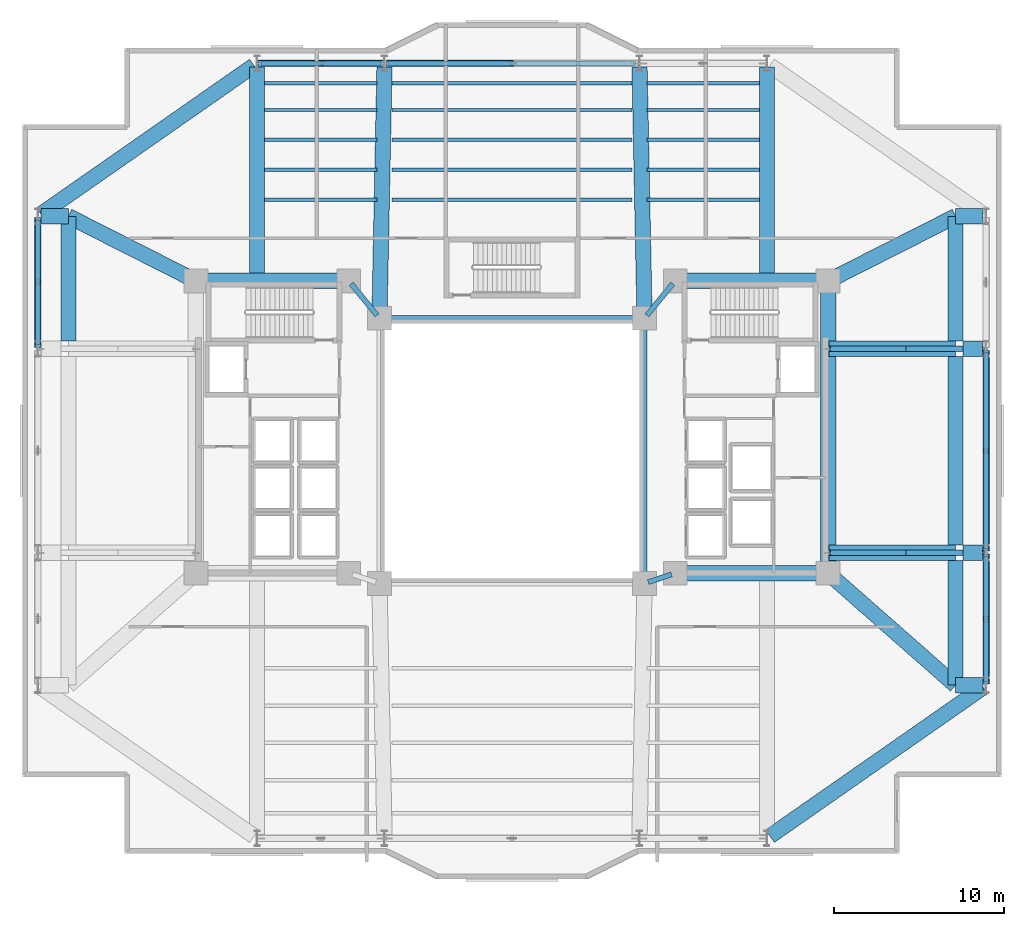
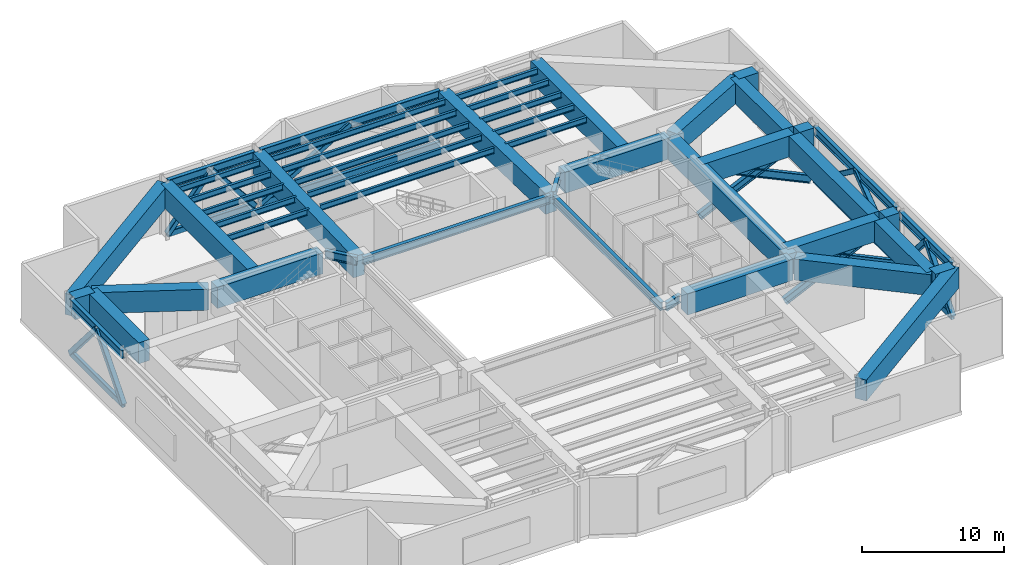
# One storey, part 2 of 12: 49 beams, 18 members.
"""IFC4 building model written with IfcOpenShell, lengths in metres."""

from ifc_helpers import new_model, si_unit, direction, frame, origin, origin_2d, place, context, subcontext, project, spatial, rectangle, hollow_rectangle, i_section, extrude, material, material_profile, profile_set, type_object, element, save


model = new_model("IFC4")

# Units and contexts
model_context = context("Model", 3, precision=1e-05, world=origin(), true_north=direction((0.0, 1.0)))
body_context = subcontext(model_context, "Body", "Model", "MODEL_VIEW")
ifc_project = project(units=[si_unit("LENGTHUNIT", "METRE"), si_unit("AREAUNIT", "SQUARE_METRE"), si_unit("VOLUMEUNIT", "CUBIC_METRE"), si_unit("PLANEANGLEUNIT", "RADIAN"), si_unit("MASSUNIT", "GRAM", prefix="KILO")], contexts=[model_context])

# Site, building, storey
site_placement = place(None, origin())
site = spatial("IfcSite", under=ifc_project, at=site_placement, CompositionType="ELEMENT")
building_placement = place(site_placement, origin())
building = spatial("IfcBuilding", under=site, at=building_placement, Name="Tarnavaz Court Tower", CompositionType="ELEMENT")
storey_placement = place(building_placement, frame((0.0, 0.0, 73.199951171875)))
storey = spatial("IfcBuildingStorey", under=building, at=storey_placement, Name="L19", CompositionType="ELEMENT", Elevation=73.199951171875)

# Beams
ifc_material_1 = material(Name="Steel S460", Category="steel")
ifc_material_profile_1 = material_profile(ifc_material_1, i_section(OverallWidth=0.303955078125, OverallDepth=0.716064453125, WebThickness=0.02099609375, FlangeThickness=0.0400390625, FilletRadius=0.027099609375, at=origin_2d()), Name="HEM 700")
ifc_profile_set_1 = profile_set([ifc_material_profile_1], Name="Steel S460")
beam_type_1 = type_object("IfcBeamType", Name="BM-BT-HEM700", PredefinedType="USERDEFINED", material=ifc_profile_set_1)
for number, where, z_axis, x_axis, name in (
    (1, (-7.580078125, 7.800048828125, 4.491943359375), (1.0, 0.0, 0.0), (0.0, 1.0, 0.0), "L19 Beam IN-IW-NW-IW-NE"),
    (2, (7.800048828125, -7.580078125, 4.491943359375), (0.0, 1.0, 0.0), (-1.0, 0.0, 0.0), "L19 Beam IN-IW-SE-IW-NE"),
):
    element("IfcBeam", number, at=place(storey_placement, frame(where, z_axis=z_axis, x_axis=x_axis)), inside=storey, type_object=beam_type_1, Name=name, ObjectType="GIRDER", PredefinedType="USERDEFINED", context=body_context, shape_type="SweptSolid", body=[
        extrude(i_section(OverallWidth=0.303955078125, OverallDepth=0.716064453125, WebThickness=0.02099609375, FlangeThickness=0.0400390625, FilletRadius=0.027099609375, at=origin_2d()), origin(), (0.0, 0.0, 1.0), 15.16015625),
    ])
beam_1_placement = place(storey_placement, frame((9.391357421875, -7.26953125, 4.491943359375), z_axis=(-0.948666544706, -0.316278021615, 0.0), x_axis=(0.316278021615, -0.948666544706, 0.0)))
element("IfcBeam", 3, at=beam_1_placement, inside=storey, type_object=beam_type_1, Name="L19 Beam IN-CE-SI-IW-SE", ObjectType="GIRDER", PredefinedType="USERDEFINED", context=body_context, shape_type="SweptSolid", body=[
    extrude(i_section(OverallWidth=0.303955078125, OverallDepth=0.716064453125, WebThickness=0.02099609375, FlangeThickness=0.0400390625, FilletRadius=0.027099609375, at=origin_2d()), origin(), (0.0, 0.0, 1.0), 1.457275390625),
])
for number, where, z_axis, x_axis, name in (
    (4, (-9.460693359375, 9.82958984375, 4.491943359375), (0.633282058357, -0.773921077735, 0.0), (0.773921077735, 0.633282058357, 0.0), "L19 Beam IN-CW-NI-IW-NW"),
    (5, (9.460693359375, 9.82958984375, 4.491943359375), (-0.633282058357, -0.773921077735, 0.0), (0.773921077735, -0.633282058357, 0.0), "L19 Beam IN-CE-NI-IW-NE"),
):
    element("IfcBeam", number, at=place(storey_placement, frame(where, z_axis=z_axis, x_axis=x_axis)), inside=storey, type_object=beam_type_1, Name=name, ObjectType="GIRDER", PredefinedType="USERDEFINED", context=body_context, shape_type="SweptSolid", body=[
        extrude(i_section(OverallWidth=0.303955078125, OverallDepth=0.716064453125, WebThickness=0.02099609375, FlangeThickness=0.0400390625, FilletRadius=0.027099609375, at=origin_2d()), origin(), (0.0, 0.0, 1.0), 2.402587890625),
    ])
beam_2_placement = place(storey_placement, frame((-14.780029296875, 22.800048828125, 4.491943359375), z_axis=(1.0, 0.0, 0.0), x_axis=(0.0, 1.0, 0.0)))
element("IfcBeam", 6, at=beam_2_placement, inside=storey, type_object=beam_type_1, Name="L19 Beam PR-PN-1-PN-2", ObjectType="GIRDER", PredefinedType="USERDEFINED", context=body_context, shape_type="SweptSolid", body=[
    extrude(i_section(OverallWidth=0.303955078125, OverallDepth=0.716064453125, WebThickness=0.02099609375, FlangeThickness=0.0400390625, FilletRadius=0.027099609375, at=origin_2d()), origin(), (0.0, 0.0, 1.0), 7.06005859375),
])
beam_3_placement = place(storey_placement, frame((-7.280029296875, 22.800048828125, 4.491943359375), z_axis=(1.0, 0.0, 0.0), x_axis=(0.0, 1.0, 0.0)))
element("IfcBeam", 7, at=beam_3_placement, inside=storey, type_object=beam_type_1, Name="L19 Beam PR-PN-2-PN-3", ObjectType="GIRDER", PredefinedType="USERDEFINED", context=body_context, shape_type="SweptSolid", body=[
    extrude(i_section(OverallWidth=0.303955078125, OverallDepth=0.716064453125, WebThickness=0.02099609375, FlangeThickness=0.0400390625, FilletRadius=0.027099609375, at=origin_2d()), origin(), (0.0, 0.0, 1.0), 14.56005859375),
])
beam_4_placement = place(storey_placement, frame((27.89990234375, -13.580078125, 4.491943359375), z_axis=(0.0, 1.0, 0.0), x_axis=(-1.0, 0.0, 0.0)))
element("IfcBeam", 8, at=beam_4_placement, inside=storey, type_object=beam_type_1, Name="L19 Beam PR-PE-1-PE-2", ObjectType="GIRDER", PredefinedType="USERDEFINED", context=body_context, shape_type="SweptSolid", body=[
    extrude(i_section(OverallWidth=0.303955078125, OverallDepth=0.716064453125, WebThickness=0.02099609375, FlangeThickness=0.0400390625, FilletRadius=0.027099609375, at=origin_2d()), origin(), (0.0, 0.0, 1.0), 7.360107421875),
])
beam_5_placement = place(storey_placement, frame((27.89990234375, -5.780029296875, 4.491943359375), z_axis=(0.0, 1.0, 0.0), x_axis=(-1.0, 0.0, 0.0)))
element("IfcBeam", 9, at=beam_5_placement, inside=storey, type_object=beam_type_1, Name="L19 Beam PR-PE-2-PE-3", ObjectType="GIRDER", PredefinedType="USERDEFINED", context=body_context, shape_type="SweptSolid", body=[
    extrude(i_section(OverallWidth=0.303955078125, OverallDepth=0.716064453125, WebThickness=0.02099609375, FlangeThickness=0.0400390625, FilletRadius=0.027099609375, at=origin_2d()), origin(), (0.0, 0.0, 1.0), 11.56005859375),
])
beam_6_placement = place(storey_placement, frame((-27.89990234375, 6.219970703125, 4.491943359375), z_axis=(0.0, 1.0, 0.0), x_axis=(-1.0, 0.0, 0.0)))
element("IfcBeam", 10, at=beam_6_placement, inside=storey, type_object=beam_type_1, Name="L19 Beam PR-PW-3-PW-4", ObjectType="GIRDER", PredefinedType="USERDEFINED", context=body_context, shape_type="SweptSolid", body=[
    extrude(i_section(OverallWidth=0.303955078125, OverallDepth=0.716064453125, WebThickness=0.02099609375, FlangeThickness=0.0400390625, FilletRadius=0.027099609375, at=origin_2d()), origin(), (0.0, 0.0, 1.0), 7.360107421875),
])
ifc_material_2 = material(Name="Steel S355", Category="steel")
ifc_material_profile_2 = material_profile(ifc_material_2, i_section(OverallWidth=0.199951171875, OverallDepth=0.5, WebThickness=0.01025390625, FlangeThickness=0.01611328125, FilletRadius=0.02099609375, at=origin_2d()), Name="IPE 500")
ifc_profile_set_2 = profile_set([ifc_material_profile_2], Name="Steel S355")
beam_type_2 = type_object("IfcBeamType", Name="BM-J-IPE500", PredefinedType="JOIST", material=ifc_profile_set_2)
beam_7_placement = place(storey_placement, frame((-14.550048828125, 14.763916015625, 4.60009765625), z_axis=(1.0, 0.0, 0.0), x_axis=(0.0, 1.0, 0.0)))
element("IfcBeam", 11, at=beam_7_placement, inside=storey, type_object=beam_type_2, Name="L19 Beam JN1-1", PredefinedType="JOIST", context=body_context, shape_type="SweptSolid", body=[
    extrude(i_section(OverallWidth=0.199951171875, OverallDepth=0.5, WebThickness=0.01025390625, FlangeThickness=0.01611328125, FilletRadius=0.02099609375, at=origin_2d()), origin(), (0.0, 0.0, 1.0), 6.60009765625),
])
beam_8_placement = place(storey_placement, frame((-7.050048828125, 14.763916015625, 4.60009765625), z_axis=(1.0, 0.0, 0.0), x_axis=(0.0, 1.0, 0.0)))
element("IfcBeam", 12, at=beam_8_placement, inside=storey, type_object=beam_type_2, Name="L19 Beam JN1-2", PredefinedType="JOIST", context=body_context, shape_type="SweptSolid", body=[
    extrude(i_section(OverallWidth=0.199951171875, OverallDepth=0.5, WebThickness=0.01025390625, FlangeThickness=0.01611328125, FilletRadius=0.02099609375, at=origin_2d()), origin(), (0.0, 0.0, 1.0), 14.10009765625),
])
for number, where, z_axis, x_axis, name in (
    (13, (7.949951171875, 14.763916015625, 4.60009765625), (1.0, 0.0, 0.0), (0.0, 1.0, 0.0), "L19 Beam JN1-3"),
    (14, (-14.550048828125, 16.528076171875, 4.60009765625), (1.0, 0.0, 0.0), (0.0, 1.0, 0.0), "L19 Beam JN2-1"),
):
    element("IfcBeam", number, at=place(storey_placement, frame(where, z_axis=z_axis, x_axis=x_axis)), inside=storey, type_object=beam_type_2, Name=name, PredefinedType="JOIST", context=body_context, shape_type="SweptSolid", body=[
        extrude(i_section(OverallWidth=0.199951171875, OverallDepth=0.5, WebThickness=0.01025390625, FlangeThickness=0.01611328125, FilletRadius=0.02099609375, at=origin_2d()), origin(), (0.0, 0.0, 1.0), 6.60009765625),
    ])
beam_9_placement = place(storey_placement, frame((-7.050048828125, 16.528076171875, 4.60009765625), z_axis=(1.0, 0.0, 0.0), x_axis=(0.0, 1.0, 0.0)))
element("IfcBeam", 15, at=beam_9_placement, inside=storey, type_object=beam_type_2, Name="L19 Beam JN2-2", PredefinedType="JOIST", context=body_context, shape_type="SweptSolid", body=[
    extrude(i_section(OverallWidth=0.199951171875, OverallDepth=0.5, WebThickness=0.01025390625, FlangeThickness=0.01611328125, FilletRadius=0.02099609375, at=origin_2d()), origin(), (0.0, 0.0, 1.0), 14.10009765625),
])
for number, where, z_axis, x_axis, name in (
    (16, (7.949951171875, 16.528076171875, 4.60009765625), (1.0, 0.0, 0.0), (0.0, 1.0, 0.0), "L19 Beam JN2-3"),
    (17, (-14.550048828125, 18.2919921875, 4.60009765625), (1.0, 0.0, 0.0), (0.0, 1.0, 0.0), "L19 Beam JN3-1"),
):
    element("IfcBeam", number, at=place(storey_placement, frame(where, z_axis=z_axis, x_axis=x_axis)), inside=storey, type_object=beam_type_2, Name=name, PredefinedType="JOIST", context=body_context, shape_type="SweptSolid", body=[
        extrude(i_section(OverallWidth=0.199951171875, OverallDepth=0.5, WebThickness=0.01025390625, FlangeThickness=0.01611328125, FilletRadius=0.02099609375, at=origin_2d()), origin(), (0.0, 0.0, 1.0), 6.60009765625),
    ])
beam_10_placement = place(storey_placement, frame((-7.050048828125, 18.2919921875, 4.60009765625), z_axis=(1.0, 0.0, 0.0), x_axis=(0.0, 1.0, 0.0)))
element("IfcBeam", 18, at=beam_10_placement, inside=storey, type_object=beam_type_2, Name="L19 Beam JN3-2", PredefinedType="JOIST", context=body_context, shape_type="SweptSolid", body=[
    extrude(i_section(OverallWidth=0.199951171875, OverallDepth=0.5, WebThickness=0.01025390625, FlangeThickness=0.01611328125, FilletRadius=0.02099609375, at=origin_2d()), origin(), (0.0, 0.0, 1.0), 14.10009765625),
])
for number, where, z_axis, x_axis, name in (
    (19, (7.949951171875, 18.2919921875, 4.60009765625), (1.0, 0.0, 0.0), (0.0, 1.0, 0.0), "L19 Beam JN3-3"),
    (20, (-14.550048828125, 20.055908203125, 4.60009765625), (1.0, 0.0, 0.0), (0.0, 1.0, 0.0), "L19 Beam JN4-1"),
):
    element("IfcBeam", number, at=place(storey_placement, frame(where, z_axis=z_axis, x_axis=x_axis)), inside=storey, type_object=beam_type_2, Name=name, PredefinedType="JOIST", context=body_context, shape_type="SweptSolid", body=[
        extrude(i_section(OverallWidth=0.199951171875, OverallDepth=0.5, WebThickness=0.01025390625, FlangeThickness=0.01611328125, FilletRadius=0.02099609375, at=origin_2d()), origin(), (0.0, 0.0, 1.0), 6.60009765625),
    ])
beam_11_placement = place(storey_placement, frame((-7.050048828125, 20.055908203125, 4.60009765625), z_axis=(1.0, 0.0, 0.0), x_axis=(0.0, 1.0, 0.0)))
element("IfcBeam", 21, at=beam_11_placement, inside=storey, type_object=beam_type_2, Name="L19 Beam JN4-2", PredefinedType="JOIST", context=body_context, shape_type="SweptSolid", body=[
    extrude(i_section(OverallWidth=0.199951171875, OverallDepth=0.5, WebThickness=0.01025390625, FlangeThickness=0.01611328125, FilletRadius=0.02099609375, at=origin_2d()), origin(), (0.0, 0.0, 1.0), 14.10009765625),
])
for number, where, z_axis, x_axis, name in (
    (22, (7.949951171875, 20.055908203125, 4.60009765625), (1.0, 0.0, 0.0), (0.0, 1.0, 0.0), "L19 Beam JN4-3"),
    (23, (-14.550048828125, 21.6240234375, 4.60009765625), (1.0, 0.0, 0.0), (0.0, 1.0, 0.0), "L19 Beam JN5-1"),
):
    element("IfcBeam", number, at=place(storey_placement, frame(where, z_axis=z_axis, x_axis=x_axis)), inside=storey, type_object=beam_type_2, Name=name, PredefinedType="JOIST", context=body_context, shape_type="SweptSolid", body=[
        extrude(i_section(OverallWidth=0.199951171875, OverallDepth=0.5, WebThickness=0.01025390625, FlangeThickness=0.01611328125, FilletRadius=0.02099609375, at=origin_2d()), origin(), (0.0, 0.0, 1.0), 6.60009765625),
    ])
beam_12_placement = place(storey_placement, frame((-7.050048828125, 21.6240234375, 4.60009765625), z_axis=(1.0, 0.0, 0.0), x_axis=(0.0, 1.0, 0.0)))
element("IfcBeam", 24, at=beam_12_placement, inside=storey, type_object=beam_type_2, Name="L19 Beam JN5-2", PredefinedType="JOIST", context=body_context, shape_type="SweptSolid", body=[
    extrude(i_section(OverallWidth=0.199951171875, OverallDepth=0.5, WebThickness=0.01025390625, FlangeThickness=0.01611328125, FilletRadius=0.02099609375, at=origin_2d()), origin(), (0.0, 0.0, 1.0), 14.10009765625),
])
beam_13_placement = place(storey_placement, frame((7.949951171875, 21.6240234375, 4.60009765625), z_axis=(1.0, 0.0, 0.0), x_axis=(0.0, 1.0, 0.0)))
element("IfcBeam", 25, at=beam_13_placement, inside=storey, type_object=beam_type_2, Name="L19 Beam JN5-3", PredefinedType="JOIST", context=body_context, shape_type="SweptSolid", body=[
    extrude(i_section(OverallWidth=0.199951171875, OverallDepth=0.5, WebThickness=0.01025390625, FlangeThickness=0.01611328125, FilletRadius=0.02099609375, at=origin_2d()), origin(), (0.0, 0.0, 1.0), 6.60009765625),
])
ifc_material_3 = material(Name="Concrete C50/60", Category="concrete")
ifc_material_profile_3 = material_profile(ifc_material_3, rectangle(XDim=0.89990234375, YDim=1.800048828125, at=origin_2d()), Name="RC 900X1800")
ifc_profile_set_3 = profile_set([ifc_material_profile_3], Name="Concrete C50/60")
beam_type_3 = type_object("IfcBeamType", Name="BM-TG1800", PredefinedType="USERDEFINED", material=ifc_profile_set_3)
for number, where, z_axis, x_axis, name in (
    (26, (-18.3798828125, 10.0, 3.949951171875), (1.0, 0.0, 0.0), (0.0, 1.0, 0.0), "L19 Beam IN-CW-NO-CW-NI"),
    (27, (18.3798828125, -7.199951171875, 3.949951171875), (-1.0, 0.0, 0.0), (0.0, -1.0, 0.0), "L19 Beam IN-CE-SO-CE-SI"),
    (28, (18.3798828125, 10.0, 3.949951171875), (-1.0, 0.0, 0.0), (0.0, -1.0, 0.0), "L19 Beam IN-CE-NO-CE-NI"),
):
    element("IfcBeam", number, at=place(storey_placement, frame(where, z_axis=z_axis, x_axis=x_axis)), inside=storey, type_object=beam_type_3, Name=name, ObjectType="GIRDER", PredefinedType="USERDEFINED", context=body_context, shape_type="SweptSolid", body=[
        extrude(rectangle(XDim=0.89990234375, YDim=1.800048828125, at=origin_2d()), origin(), (0.0, 0.0, 1.0), 8.559814453125),
    ])
beam_14_placement = place(storey_placement, frame((18.60009765625, -6.97998046875, 3.949951171875), z_axis=(0.0, 1.0, 0.0), x_axis=(-1.0, 0.0, 0.0)))
element("IfcBeam", 29, at=beam_14_placement, inside=storey, type_object=beam_type_3, Name="L19 Beam IN-CE-SO-CE-NO", ObjectType="GIRDER", PredefinedType="USERDEFINED", context=body_context, shape_type="SweptSolid", body=[
    extrude(rectangle(XDim=0.89990234375, YDim=1.800048828125, at=origin_2d()), origin(), (0.0, 0.0, 1.0), 16.760009765625),
])
for number, where, z_axis, x_axis, name in (
    (30, (27.719482421875, -13.92578125, 3.949951171875), (-0.820123643324, -0.572186341729, 0.0), (0.572186341729, -0.820123643324, 0.0), "L19 Beam PR-PE-1-PS-4"),
    (31, (-27.719482421875, 13.92578125, 3.949951171875), (0.820123643324, 0.572186341729, 0.0), (-0.572186341729, 0.820123643324, 0.0), "L19 Beam PR-PW-4-PN-1"),
):
    element("IfcBeam", number, at=place(storey_placement, frame(where, z_axis=z_axis, x_axis=x_axis)), inside=storey, type_object=beam_type_3, Name=name, ObjectType="GIRDER", PredefinedType="USERDEFINED", context=body_context, shape_type="SweptSolid", body=[
        extrude(rectangle(XDim=0.89990234375, YDim=1.800048828125, at=origin_2d()), origin(), (0.0, 0.0, 1.0), 15.289306640625),
    ])
beam_15_placement = place(storey_placement, frame((-15.0, 10.0400390625, 3.949951171875), z_axis=(0.0, 1.0, 0.0), x_axis=(-1.0, 0.0, 0.0)))
element("IfcBeam", 32, at=beam_15_placement, inside=storey, type_object=beam_type_3, Name="L19 Beam RG-01", ObjectType="GIRDER", PredefinedType="USERDEFINED", context=body_context, shape_type="SweptSolid", body=[
    extrude(rectangle(XDim=0.89990234375, YDim=1.800048828125, at=origin_2d()), origin(), (0.0, 0.0, 1.0), 12.5400390625),
])
for number, where, z_axis, x_axis, name in (
    (33, (-7.795654296875, 8.02001953125, 3.949951171875), (0.020000023066, 0.999799979535, 0.0), (-0.999799979535, 0.020000023066, 0.0), "L19 Beam RG-02"),
    (34, (7.795654296875, 8.02001953125, 3.949951171875), (-0.020000023066, 0.999799979535, 0.0), (-0.999799979535, -0.020000023066, 0.0), "L19 Beam RG-03"),
):
    element("IfcBeam", number, at=place(storey_placement, frame(where, z_axis=z_axis, x_axis=x_axis)), inside=storey, type_object=beam_type_3, Name=name, ObjectType="GIRDER", PredefinedType="USERDEFINED", context=body_context, shape_type="SweptSolid", body=[
        extrude(rectangle(XDim=0.89990234375, YDim=1.800048828125, at=origin_2d()), origin(), (0.0, 0.0, 1.0), 14.56298828125),
    ])
beam_16_placement = place(storey_placement, frame((15.0, 10.0400390625, 3.949951171875), z_axis=(0.0, 1.0, 0.0), x_axis=(-1.0, 0.0, 0.0)))
element("IfcBeam", 35, at=beam_16_placement, inside=storey, type_object=beam_type_3, Name="L19 Beam RG-04", ObjectType="GIRDER", PredefinedType="USERDEFINED", context=body_context, shape_type="SweptSolid", body=[
    extrude(rectangle(XDim=0.89990234375, YDim=1.800048828125, at=origin_2d()), origin(), (0.0, 0.0, 1.0), 12.5400390625),
])
beam_17_placement = place(storey_placement, frame((18.639892578125, -6.0, 3.949951171875), z_axis=(1.0, 0.0, 0.0), x_axis=(0.0, 1.0, 0.0)))
element("IfcBeam", 36, at=beam_17_placement, inside=storey, type_object=beam_type_3, Name="L19 Beam RG-09", ObjectType="GIRDER", PredefinedType="USERDEFINED", context=body_context, shape_type="SweptSolid", body=[
    extrude(rectangle(XDim=0.89990234375, YDim=1.800048828125, at=origin_2d()), origin(), (0.0, 0.0, 1.0), 7.460205078125),
])
beam_18_placement = place(storey_placement, frame((26.550048828125, -6.0, 3.949951171875), z_axis=(1.0, 0.0, 0.0), x_axis=(0.0, 1.0, 0.0)))
element("IfcBeam", 37, at=beam_18_placement, inside=storey, type_object=beam_type_3, Name="L19 Beam RG-09B", ObjectType="GIRDER", PredefinedType="USERDEFINED", context=body_context, shape_type="SweptSolid", body=[
    extrude(rectangle(XDim=0.89990234375, YDim=1.800048828125, at=origin_2d()), origin(), (0.0, 0.0, 1.0), 1.1298828125),
])
beam_19_placement = place(storey_placement, frame((18.639892578125, 6.0, 3.949951171875), z_axis=(1.0, 0.0, 0.0), x_axis=(0.0, 1.0, 0.0)))
element("IfcBeam", 38, at=beam_19_placement, inside=storey, type_object=beam_type_3, Name="L19 Beam RG-10", ObjectType="GIRDER", PredefinedType="USERDEFINED", context=body_context, shape_type="SweptSolid", body=[
    extrude(rectangle(XDim=0.89990234375, YDim=1.800048828125, at=origin_2d()), origin(), (0.0, 0.0, 1.0), 7.460205078125),
])
beam_20_placement = place(storey_placement, frame((26.550048828125, 6.0, 3.949951171875), z_axis=(1.0, 0.0, 0.0), x_axis=(0.0, 1.0, 0.0)))
element("IfcBeam", 39, at=beam_20_placement, inside=storey, type_object=beam_type_3, Name="L19 Beam RG-10B", ObjectType="GIRDER", PredefinedType="USERDEFINED", context=body_context, shape_type="SweptSolid", body=[
    extrude(rectangle(XDim=0.89990234375, YDim=1.800048828125, at=origin_2d()), origin(), (0.0, 0.0, 1.0), 1.1298828125),
])
beam_21_placement = place(storey_placement, frame((18.75, -7.33203125, 3.949951171875), z_axis=(0.750716979592, -0.660623960019, 0.0), x_axis=(0.660623960019, 0.750716979592, 0.0)))
element("IfcBeam", 40, at=beam_21_placement, inside=storey, type_object=beam_type_3, Name="L19 Beam TG-SET-ES", ObjectType="GIRDER", PredefinedType="USERDEFINED", context=body_context, shape_type="SweptSolid", body=[
    extrude(rectangle(XDim=0.89990234375, YDim=1.800048828125, at=origin_2d()), origin(), (0.0, 0.0, 1.0), 9.790771484375),
])
beam_22_placement = place(storey_placement, frame((26.10009765625, -13.800048828125, 3.949951171875), z_axis=(1.0, 0.0, 0.0), x_axis=(0.0, 1.0, 0.0)))
element("IfcBeam", 41, at=beam_22_placement, inside=storey, type_object=beam_type_3, Name="L19 Beam TG-OUT-ES", ObjectType="GIRDER", PredefinedType="USERDEFINED", context=body_context, shape_type="SweptSolid", body=[
    extrude(rectangle(XDim=0.89990234375, YDim=1.800048828125, at=origin_2d()), origin(), (0.0, 0.0, 1.0), 1.599853515625),
])
beam_23_placement = place(storey_placement, frame((18.7783203125, 10.09033203125, 3.949951171875), z_axis=(0.892034976561, 0.451966371085, 0.0), x_axis=(-0.451966371085, 0.892034976561, 0.0)))
element("IfcBeam", 42, at=beam_23_placement, inside=storey, type_object=beam_type_3, Name="L19 Beam TG-SET-EN", ObjectType="GIRDER", PredefinedType="USERDEFINED", context=body_context, shape_type="SweptSolid", body=[
    extrude(rectangle(XDim=0.89990234375, YDim=1.800048828125, at=origin_2d()), origin(), (0.0, 0.0, 1.0), 8.2080078125),
])
beam_24_placement = place(storey_placement, frame((26.10009765625, 13.800048828125, 3.949951171875), z_axis=(1.0, 0.0, 0.0), x_axis=(0.0, 1.0, 0.0)))
element("IfcBeam", 43, at=beam_24_placement, inside=storey, type_object=beam_type_3, Name="L19 Beam TG-OUT-EN", ObjectType="GIRDER", PredefinedType="USERDEFINED", context=body_context, shape_type="SweptSolid", body=[
    extrude(rectangle(XDim=0.89990234375, YDim=1.800048828125, at=origin_2d()), origin(), (0.0, 0.0, 1.0), 1.599853515625),
])
beam_25_placement = place(storey_placement, frame((26.10009765625, -13.780029296875, 3.949951171875), z_axis=(0.0, 1.0, 0.0), x_axis=(-1.0, 0.0, 0.0)))
element("IfcBeam", 44, at=beam_25_placement, inside=storey, type_object=beam_type_3, Name="L19 Beam TG-TIE-E1", ObjectType="GIRDER", PredefinedType="USERDEFINED", context=body_context, shape_type="SweptSolid", body=[
    extrude(rectangle(XDim=0.89990234375, YDim=1.800048828125, at=origin_2d()), origin(), (0.0, 0.0, 1.0), 7.330078125),
])
beam_26_placement = place(storey_placement, frame((26.10009765625, -5.550048828125, 3.949951171875), z_axis=(0.0, 1.0, 0.0), x_axis=(-1.0, 0.0, 0.0)))
element("IfcBeam", 45, at=beam_26_placement, inside=storey, type_object=beam_type_3, Name="L19 Beam TG-TIE-E2", ObjectType="GIRDER", PredefinedType="USERDEFINED", context=body_context, shape_type="SweptSolid", body=[
    extrude(rectangle(XDim=0.89990234375, YDim=1.800048828125, at=origin_2d()), origin(), (0.0, 0.0, 1.0), 11.10009765625),
])
beam_27_placement = place(storey_placement, frame((26.10009765625, 6.449951171875, 3.949951171875), z_axis=(0.0, 1.0, 0.0), x_axis=(-1.0, 0.0, 0.0)))
element("IfcBeam", 46, at=beam_27_placement, inside=storey, type_object=beam_type_3, Name="L19 Beam TG-TIE-E3", ObjectType="GIRDER", PredefinedType="USERDEFINED", context=body_context, shape_type="SweptSolid", body=[
    extrude(rectangle(XDim=0.89990234375, YDim=1.800048828125, at=origin_2d()), origin(), (0.0, 0.0, 1.0), 7.330078125),
])
beam_28_placement = place(storey_placement, frame((-18.7783203125, 10.09033203125, 3.949951171875), z_axis=(-0.892034976561, 0.451966371085, 0.0), x_axis=(-0.451966371085, -0.892034976561, 0.0)))
element("IfcBeam", 47, at=beam_28_placement, inside=storey, type_object=beam_type_3, Name="L19 Beam TG-SET-WN", ObjectType="GIRDER", PredefinedType="USERDEFINED", context=body_context, shape_type="SweptSolid", body=[
    extrude(rectangle(XDim=0.89990234375, YDim=1.800048828125, at=origin_2d()), origin(), (0.0, 0.0, 1.0), 8.2080078125),
])
beam_29_placement = place(storey_placement, frame((-26.10009765625, 13.800048828125, 3.949951171875), z_axis=(-1.0, 0.0, 0.0), x_axis=(0.0, -1.0, 0.0)))
element("IfcBeam", 48, at=beam_29_placement, inside=storey, type_object=beam_type_3, Name="L19 Beam TG-OUT-WN", ObjectType="GIRDER", PredefinedType="USERDEFINED", context=body_context, shape_type="SweptSolid", body=[
    extrude(rectangle(XDim=0.89990234375, YDim=1.800048828125, at=origin_2d()), origin(), (0.0, 0.0, 1.0), 1.599853515625),
])
beam_30_placement = place(storey_placement, frame((-26.10009765625, 6.449951171875, 3.949951171875), z_axis=(0.0, 1.0, 0.0), x_axis=(-1.0, 0.0, 0.0)))
element("IfcBeam", 49, at=beam_30_placement, inside=storey, type_object=beam_type_3, Name="L19 Beam TG-TIE-W3", ObjectType="GIRDER", PredefinedType="USERDEFINED", context=body_context, shape_type="SweptSolid", body=[
    extrude(rectangle(XDim=0.89990234375, YDim=1.800048828125, at=origin_2d()), origin(), (0.0, 0.0, 1.0), 7.330078125),
])

# Members
ifc_material_profile_4 = material_profile(ifc_material_1, hollow_rectangle(XDim=0.300048828125, YDim=0.5, WallThickness=0.02001953125, InnerFilletRadius=0.02001953125, OuterFilletRadius=0.0400390625, at=origin_2d()), Name="RHS 500X300X20")
ifc_profile_set_4 = profile_set([ifc_material_profile_4], Name="Steel S460")
member_type_1 = type_object("IfcMemberType", Name="MB-BT-RHS500", PredefinedType="CHORD", material=ifc_profile_set_4)
member_1_placement = place(storey_placement, frame((-14.780029296875, 22.800048828125, 0.199951171875), z_axis=(1.0, 0.0, 0.0), x_axis=(0.0, 1.0, 0.0)))
element("IfcMember", 50, at=member_1_placement, inside=storey, type_object=member_type_1, Name="L19 Belt Truss Bottom Chord PN-1-PN-2", PredefinedType="CHORD", context=body_context, shape_type="SweptSolid", body=[
    extrude(hollow_rectangle(XDim=0.300048828125, YDim=0.5, WallThickness=0.02001953125, InnerFilletRadius=0.02001953125, OuterFilletRadius=0.0400390625, at=origin_2d()), origin(), (0.0, 0.0, 1.0), 7.06005859375),
])
member_2_placement = place(storey_placement, frame((-7.280029296875, 22.800048828125, 0.199951171875), z_axis=(1.0, 0.0, 0.0), x_axis=(0.0, 1.0, 0.0)))
element("IfcMember", 51, at=member_2_placement, inside=storey, type_object=member_type_1, Name="L19 Belt Truss Bottom Chord PN-2-PN-3", PredefinedType="CHORD", context=body_context, shape_type="SweptSolid", body=[
    extrude(hollow_rectangle(XDim=0.300048828125, YDim=0.5, WallThickness=0.02001953125, InnerFilletRadius=0.02001953125, OuterFilletRadius=0.0400390625, at=origin_2d()), origin(), (0.0, 0.0, 1.0), 14.56005859375),
])
member_3_placement = place(storey_placement, frame((27.89990234375, -13.580078125, 0.199951171875), z_axis=(0.0, 1.0, 0.0), x_axis=(-1.0, 0.0, 0.0)))
element("IfcMember", 52, at=member_3_placement, inside=storey, type_object=member_type_1, Name="L19 Belt Truss Bottom Chord PE-1-PE-2", PredefinedType="CHORD", context=body_context, shape_type="SweptSolid", body=[
    extrude(hollow_rectangle(XDim=0.300048828125, YDim=0.5, WallThickness=0.02001953125, InnerFilletRadius=0.02001953125, OuterFilletRadius=0.0400390625, at=origin_2d()), origin(), (0.0, 0.0, 1.0), 7.360107421875),
])
member_4_placement = place(storey_placement, frame((27.89990234375, -5.780029296875, 0.199951171875), z_axis=(0.0, 1.0, 0.0), x_axis=(-1.0, 0.0, 0.0)))
element("IfcMember", 53, at=member_4_placement, inside=storey, type_object=member_type_1, Name="L19 Belt Truss Bottom Chord PE-2-PE-3", PredefinedType="CHORD", context=body_context, shape_type="SweptSolid", body=[
    extrude(hollow_rectangle(XDim=0.300048828125, YDim=0.5, WallThickness=0.02001953125, InnerFilletRadius=0.02001953125, OuterFilletRadius=0.0400390625, at=origin_2d()), origin(), (0.0, 0.0, 1.0), 11.56005859375),
])
member_5_placement = place(storey_placement, frame((-27.89990234375, 6.219970703125, 0.199951171875), z_axis=(0.0, 1.0, 0.0), x_axis=(-1.0, 0.0, 0.0)))
element("IfcMember", 54, at=member_5_placement, inside=storey, type_object=member_type_1, Name="L19 Belt Truss Bottom Chord PW-3-PW-4", PredefinedType="CHORD", context=body_context, shape_type="SweptSolid", body=[
    extrude(hollow_rectangle(XDim=0.300048828125, YDim=0.5, WallThickness=0.02001953125, InnerFilletRadius=0.02001953125, OuterFilletRadius=0.0400390625, at=origin_2d()), origin(), (0.0, 0.0, 1.0), 7.360107421875),
])
ifc_material_profile_5 = material_profile(ifc_material_1, hollow_rectangle(XDim=0.39990234375, YDim=0.39990234375, WallThickness=0.02001953125, InnerFilletRadius=0.02001953125, OuterFilletRadius=0.0400390625, at=origin_2d()), Name="SHS 400X400X20")
ifc_profile_set_5 = profile_set([ifc_material_profile_5], Name="Steel S460")
member_type_2 = type_object("IfcMemberType", Name="MB-BT-SHS400", PredefinedType="BRACE", material=ifc_profile_set_5)
for number, where, z_axis, x_axis, name in (
    (55, (-14.780029296875, 22.800048828125, 0.199951171875), (0.634508247424, 0.0, 0.772916091145), (0.0, 1.0, 0.0), "L19 Belt Truss Diagonal 01A"),
    (56, (-7.719970703125, 22.800048828125, 0.199951171875), (-0.634508247424, 0.0, 0.772916091145), (0.0, -1.0, 0.0), "L19 Belt Truss Diagonal 01B"),
):
    element("IfcMember", number, at=place(storey_placement, frame(where, z_axis=z_axis, x_axis=x_axis)), inside=storey, type_object=member_type_2, Name=name, PredefinedType="BRACE", context=body_context, shape_type="SweptSolid", body=[
        extrude(hollow_rectangle(XDim=0.39990234375, YDim=0.39990234375, WallThickness=0.02001953125, InnerFilletRadius=0.02001953125, OuterFilletRadius=0.0400390625, at=origin_2d()), origin(), (0.0, 0.0, 1.0), 5.5634765625),
    ])
member_6_placement = place(storey_placement, frame((-7.280029296875, 22.800048828125, 0.199951171875), z_axis=(0.861019063822, 0.0, 0.508572680878), x_axis=(0.0, 1.0, 0.0)))
element("IfcMember", 57, at=member_6_placement, inside=storey, type_object=member_type_2, Name="L19 Belt Truss Diagonal 02A", PredefinedType="BRACE", context=body_context, shape_type="SweptSolid", body=[
    extrude(hollow_rectangle(XDim=0.39990234375, YDim=0.39990234375, WallThickness=0.02001953125, InnerFilletRadius=0.02001953125, OuterFilletRadius=0.0400390625, at=origin_2d()), origin(), (0.0, 0.0, 1.0), 8.455078125),
])
member_7_placement = place(storey_placement, frame((27.89990234375, -13.580078125, 0.199951171875), z_axis=(0.0, 0.650222818954, 0.759743565758), x_axis=(-1.0, 0.0, 0.0)))
element("IfcMember", 58, at=member_7_placement, inside=storey, type_object=member_type_2, Name="L19 Belt Truss Diagonal 07A", PredefinedType="BRACE", context=body_context, shape_type="SweptSolid", body=[
    extrude(hollow_rectangle(XDim=0.39990234375, YDim=0.39990234375, WallThickness=0.02001953125, InnerFilletRadius=0.02001953125, OuterFilletRadius=0.0400390625, at=origin_2d()), origin(), (0.0, 0.0, 1.0), 5.659912109375),
])
member_8_placement = place(storey_placement, frame((27.89990234375, -6.219970703125, 0.199951171875), z_axis=(0.0, -0.650197919718, 0.759764874941), x_axis=(1.0, 0.0, 0.0)))
element("IfcMember", 59, at=member_8_placement, inside=storey, type_object=member_type_2, Name="L19 Belt Truss Diagonal 07B", PredefinedType="BRACE", context=body_context, shape_type="SweptSolid", body=[
    extrude(hollow_rectangle(XDim=0.39990234375, YDim=0.39990234375, WallThickness=0.02001953125, InnerFilletRadius=0.02001953125, OuterFilletRadius=0.0400390625, at=origin_2d()), origin(), (0.0, 0.0, 1.0), 5.65966796875),
])
for number, where, z_axis, x_axis, name in (
    (60, (27.89990234375, -5.780029296875, 0.199951171875), (0.0, 0.802324180514, 0.596888523396), (-1.0, 0.0, 0.0), "L19 Belt Truss Diagonal 08A"),
    (61, (27.89990234375, 5.780029296875, 0.199951171875), (0.0, -0.802324180514, 0.596888523396), (1.0, 0.0, 0.0), "L19 Belt Truss Diagonal 08B"),
):
    element("IfcMember", number, at=place(storey_placement, frame(where, z_axis=z_axis, x_axis=x_axis)), inside=storey, type_object=member_type_2, Name=name, PredefinedType="BRACE", context=body_context, shape_type="SweptSolid", body=[
        extrude(hollow_rectangle(XDim=0.39990234375, YDim=0.39990234375, WallThickness=0.02001953125, InnerFilletRadius=0.02001953125, OuterFilletRadius=0.0400390625, at=origin_2d()), origin(), (0.0, 0.0, 1.0), 7.2041015625),
    ])
member_9_placement = place(storey_placement, frame((-27.89990234375, 6.219970703125, 0.199951171875), z_axis=(0.0, 0.650197919718, 0.759764874941), x_axis=(-1.0, 0.0, 0.0)))
element("IfcMember", 62, at=member_9_placement, inside=storey, type_object=member_type_2, Name="L19 Belt Truss Diagonal 12A", PredefinedType="BRACE", context=body_context, shape_type="SweptSolid", body=[
    extrude(hollow_rectangle(XDim=0.39990234375, YDim=0.39990234375, WallThickness=0.02001953125, InnerFilletRadius=0.02001953125, OuterFilletRadius=0.0400390625, at=origin_2d()), origin(), (0.0, 0.0, 1.0), 5.65966796875),
])
member_10_placement = place(storey_placement, frame((-27.89990234375, 13.580078125, 0.199951171875), z_axis=(0.0, -0.650222818954, 0.759743565758), x_axis=(1.0, 0.0, 0.0)))
element("IfcMember", 63, at=member_10_placement, inside=storey, type_object=member_type_2, Name="L19 Belt Truss Diagonal 12B", PredefinedType="BRACE", context=body_context, shape_type="SweptSolid", body=[
    extrude(hollow_rectangle(XDim=0.39990234375, YDim=0.39990234375, WallThickness=0.02001953125, InnerFilletRadius=0.02001953125, OuterFilletRadius=0.0400390625, at=origin_2d()), origin(), (0.0, 0.0, 1.0), 5.659912109375),
])
ifc_material_profile_6 = material_profile(ifc_material_1, i_section(OverallWidth=0.3291015625, OverallDepth=0.635009765625, WebThickness=0.017822265625, FlangeThickness=0.031005859375, FilletRadius=0.017822265625, at=origin_2d()), Name="W24X162")
ifc_profile_set_6 = profile_set([ifc_material_profile_6], Name="Steel S460")
member_type_3 = type_object("IfcMemberType", Name="MB-OUT-W24", PredefinedType="BRACE", material=ifc_profile_set_6)
for number, where, z_axis, x_axis, name in (
    (64, (18.60009765625, -6.0, 0.199951171875), (0.905218003951, 0.0, 0.42494748537), (0.0, 1.0, 0.0), "L19 Core-to-Ring Outrigger Diagonal 1A"),
    (65, (18.60009765625, -6.0, 4.5), (0.905218003951, 0.0, -0.42494748537), (0.0, 1.0, 0.0), "L19 Core-to-Ring Outrigger Tie 1B"),
    (66, (18.60009765625, 6.0, 0.199951171875), (0.905218003951, 0.0, 0.42494748537), (0.0, 1.0, 0.0), "L19 Core-to-Ring Outrigger Diagonal 2A"),
    (67, (18.60009765625, 6.0, 4.5), (0.905218003951, 0.0, -0.42494748537), (0.0, 1.0, 0.0), "L19 Core-to-Ring Outrigger Tie 2B"),
):
    element("IfcMember", number, at=place(storey_placement, frame(where, z_axis=z_axis, x_axis=x_axis)), inside=storey, type_object=member_type_3, Name=name, PredefinedType="BRACE", context=body_context, shape_type="SweptSolid", body=[
        extrude(i_section(OverallWidth=0.3291015625, OverallDepth=0.635009765625, WebThickness=0.017822265625, FlangeThickness=0.031005859375, FilletRadius=0.017822265625, at=origin_2d()), origin(), (0.0, 0.0, 1.0), 10.118896484375),
    ])

save(model, "model.ifc")
